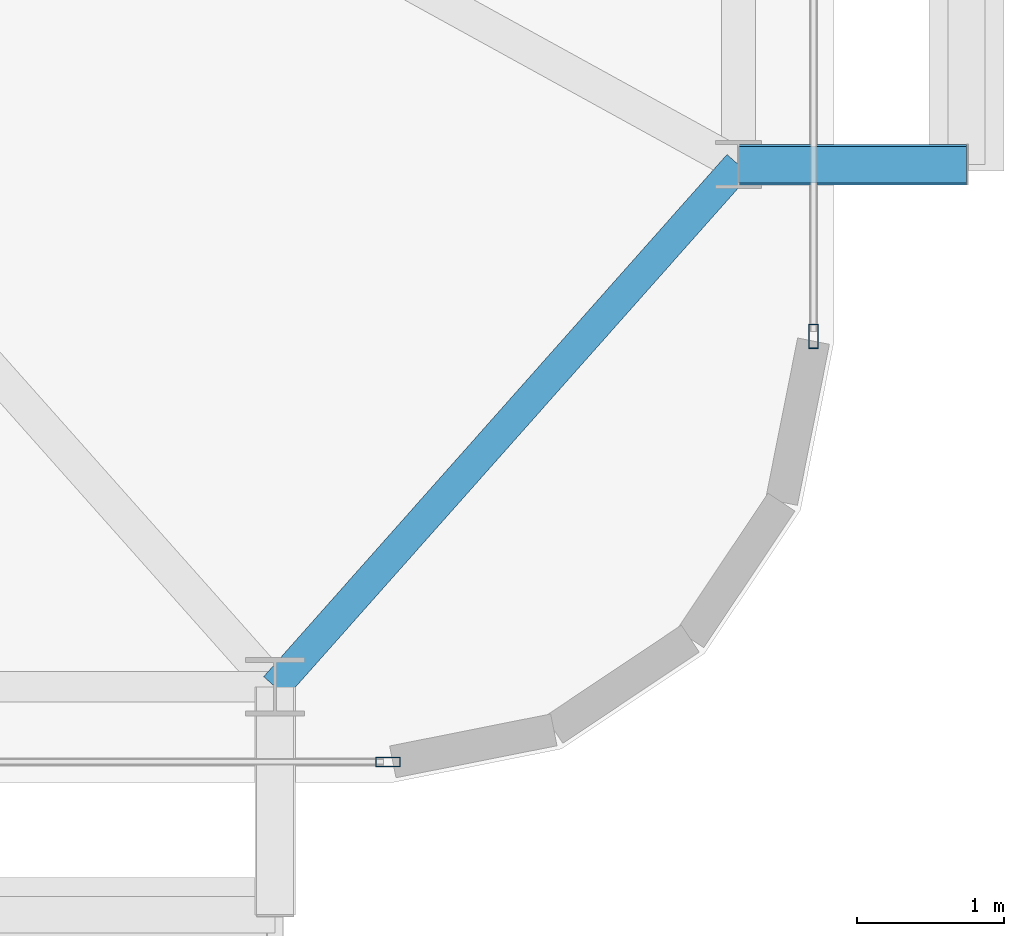
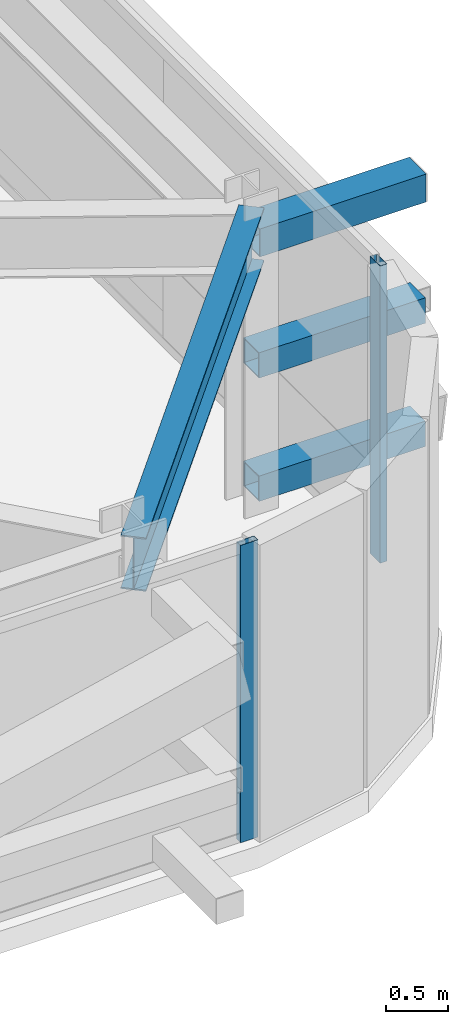
# One storey, part 15 of 44: 5 members, 1 beam, 2 elements without a shape of their own.
"""IFC4 building model written with IfcOpenShell, lengths in metres."""

from ifc_helpers import new_model, si_unit, direction, frame, origin, origin_2d, place, context, subcontext, project, spatial, hollow_rectangle, i_section, extrude, source, transform, mapped, material, layer, layer_set, material_profile, profile_set, type_object, element, aggregate, save


model = new_model("IFC4")

# Units and contexts
model_context = context("Model", 3, precision=1e-05, world=origin(), true_north=direction((0.0, 1.0)))
body_context = subcontext(model_context, "Body", "Model", "MODEL_VIEW")
ifc_project = project(units=[si_unit("LENGTHUNIT", "METRE"), si_unit("AREAUNIT", "SQUARE_METRE"), si_unit("VOLUMEUNIT", "CUBIC_METRE"), si_unit("PLANEANGLEUNIT", "RADIAN"), si_unit("MASSUNIT", "GRAM", prefix="KILO")], contexts=[model_context])

# Site, building, storey
site_placement = place(None, origin())
site = spatial("IfcSite", under=ifc_project, at=site_placement, CompositionType="ELEMENT")
building_placement = place(site_placement, origin())
building = spatial("IfcBuilding", under=site, at=building_placement, Name="Taldren Reach Tower", CompositionType="ELEMENT")
storey_placement = place(building_placement, frame((0.0, 0.0, 42.0)))
storey = spatial("IfcBuildingStorey", under=building, at=storey_placement, Name="L12", CompositionType="ELEMENT", Elevation=42.0)

# Beam
ifc_material_1 = material(Name="Steel Gr 350 (350PLUS)", Category="steel")
ifc_material_profile_1 = material_profile(ifc_material_1, i_section(OverallWidth=0.208984375, OverallDepth=0.528076171875, WebThickness=0.009521484375, FlangeThickness=0.01318359375, at=origin_2d()), Name="530UB82.0")
ifc_profile_set_1 = profile_set([ifc_material_profile_1], Name="Steel Gr 350 (350PLUS)")
beam_type = type_object("IfcBeamType", Name="SP-UB530B", PredefinedType="SPANDREL", material=ifc_profile_set_1)
shared_shape_1 = source(origin(), body_context, "Body", "SweptSolid", [
    extrude(i_section(OverallWidth=0.208984375, OverallDepth=0.528076171875, WebThickness=0.009521484375, FlangeThickness=0.01318359375, at=origin_2d()), origin(), (0.0, 0.0, 1.0), 4.74609375),
])
beam_placement = place(storey_placement, frame((61.199951171875, 2.14990234375, 2.666015625), z_axis=(0.663721843779, 0.747979487747, 0.0), x_axis=(-0.747979487747, 0.663721843779, 0.0)))
element("IfcBeam", 1, at=beam_placement, inside=storey, type_object=beam_type, Name="Perimeter spandrel B1 S6-E1 L12", PredefinedType="SPANDREL", context=body_context, shape_type="MappedRepresentation", body=[
    mapped(shared_shape_1, transform((0.0, 0.0, 0.0), scale=1.0)),
])

# Members
ifc_material_2 = material(Name="Steel Gr 450 (C450L0)", Category="steel")
ifc_material_profile_2 = material_profile(ifc_material_2, hollow_rectangle(XDim=0.27490234375, YDim=0.27490234375, WallThickness=0.00927734375, at=origin_2d()), Name="275x275x9.3SHS")
ifc_profile_set_2 = profile_set([ifc_material_profile_2], Name="Steel Gr 450 (C450L0)")
member_type_1 = type_object("IfcMemberType", Name="MB-TIE273", PredefinedType="STRUT", material=ifc_profile_set_2)
shared_shape_2 = source(origin(), body_context, "Body", "SweptSolid", [
    extrude(hollow_rectangle(XDim=0.27490234375, YDim=0.27490234375, WallThickness=0.00927734375, at=origin_2d()), origin(), (0.0, 0.0, 1.0), 1.5498046875),
])
member_1_placement = place(storey_placement, frame((64.35009765625, 5.699951171875, 2.64990234375), z_axis=(1.0, 0.0, 0.0), x_axis=(0.0, 1.0, 0.0)))
element("IfcMember", 2, at=member_1_placement, inside=storey, type_object=member_type_1, Name="Exoskeleton diaphragm tie strut B1-E1 L12", PredefinedType="STRUT", context=body_context, shape_type="MappedRepresentation", body=[
    mapped(shared_shape_2, transform((0.0, 0.0, 0.0), scale=1.0)),
])
ifc_material_3 = material(Name="Steel Gr 350 (C350L0)", Category="steel")
ifc_material_profile_3 = material_profile(ifc_material_3, hollow_rectangle(XDim=0.25, YDim=0.25, WallThickness=0.010009765625, at=origin_2d()), Name="250x250x10.0SHS")
ifc_profile_set_3 = profile_set([ifc_material_profile_3], Name="Steel Gr 350 (C350L0)")
member_type_2 = type_object("IfcMemberType", Name="MB-POST250", PredefinedType="POST", material=ifc_profile_set_3)
shared_shape_3 = source(origin(), body_context, "Body", "SweptSolid", [
    extrude(hollow_rectangle(XDim=0.25, YDim=0.25, WallThickness=0.010009765625, at=origin_2d()), origin(), (0.0, 0.0, 1.0), 1.5498046875),
])
for number, where, z_axis, x_axis, name in (
    (3, (64.35009765625, 5.699951171875, 0.219970703125), (1.0, 0.0, 0.0), (0.0, 1.0, 0.0), "Exoskeleton base diaphragm tie strut B1-E1 L12"),
    (4, (64.35009765625, 5.699951171875, 1.43505859375), (1.0, 0.0, 0.0), (0.0, 1.0, 0.0), "Exoskeleton mid-tier diaphragm tie B1-E1 L12"),
):
    element("IfcMember", number, at=place(storey_placement, frame(where, z_axis=z_axis, x_axis=x_axis)), inside=storey, type_object=member_type_2, Name=name, PredefinedType="POST", context=body_context, shape_type="MappedRepresentation", body=[
        mapped(shared_shape_3, transform((0.0, 0.0, 0.0), scale=1.0)),
    ])

# Curtain wall, member
ifc_material_4 = material(Name="Aluminium and Low-E Glass Unitised System", Category="aluminium")
ifc_layer = layer(ifc_material_4, 0.159912109375)
ifc_layer_set = layer_set([ifc_layer], Name="Aluminium and Low-E Glass Unitised System")
curtain_wall_type = type_object("IfcCurtainWallType", Name="CW-SYS-2", PredefinedType="NOTDEFINED", material=ifc_layer_set)
curtain_wall_1_placement = place(storey_placement, origin())
curtain_wall_1 = element("IfcCurtainWall", 5, at=curtain_wall_1_placement, inside=storey, type_object=curtain_wall_type, Name="Unitised curtain wall CW-L12-S", PredefinedType="NOTDEFINED")
ifc_material_5 = material(Name="Anodised Aluminium 6063-T6", Category="aluminium")
ifc_material_profile_4 = material_profile(ifc_material_5, hollow_rectangle(XDim=0.06494140625, YDim=0.1650390625, WallThickness=0.00390625, at=origin_2d()), Name="ALU-165x65x4RHS")
ifc_profile_set_4 = profile_set([ifc_material_profile_4], Name="Anodised Aluminium 6063-T6")
member_type_3 = type_object("IfcMemberType", Name="CW-MUL-165", PredefinedType="MULLION", material=ifc_profile_set_4)
shared_shape_4 = source(origin(), body_context, "Body", "SweptSolid", [
    extrude(hollow_rectangle(XDim=0.06494140625, YDim=0.1650390625, WallThickness=0.00390625, at=origin_2d()), origin(), (0.0, 0.0, 1.0), 2.929931640625),
])
member_2_placement = place(storey_placement, frame((61.967529296875, 1.639892578125, 0.0), z_axis=(0.0, 0.0, 1.0), x_axis=(0.0, 1.0, 0.0)))
member_2 = element("IfcMember", 6, at=member_2_placement, type_object=member_type_3, Name="CW-2 mullion 6", PredefinedType="MULLION", context=body_context, shape_type="MappedRepresentation", body=[
    mapped(shared_shape_4, transform((0.0, 0.0, 0.0), scale=1.0)),
])
aggregate(curtain_wall_1, [member_2])

curtain_wall_2_placement = place(storey_placement, origin())
curtain_wall_2 = element("IfcCurtainWall", 7, at=curtain_wall_2_placement, inside=storey, type_object=curtain_wall_type, Name="Unitised curtain wall CW-L12-E", PredefinedType="NOTDEFINED")
member_3_placement = place(storey_placement, frame((64.860107421875, 4.532470703125, 0.0), z_axis=(0.0, 0.0, 1.0), x_axis=(-1.0, 0.0, 0.0)))
member_3 = element("IfcMember", 8, at=member_3_placement, type_object=member_type_3, Name="CW-2 mullion 1", PredefinedType="MULLION", context=body_context, shape_type="MappedRepresentation", body=[
    mapped(shared_shape_4, transform((0.0, 0.0, 0.0), scale=1.0)),
])
aggregate(curtain_wall_2, [member_3])

save(model, "model.ifc")
